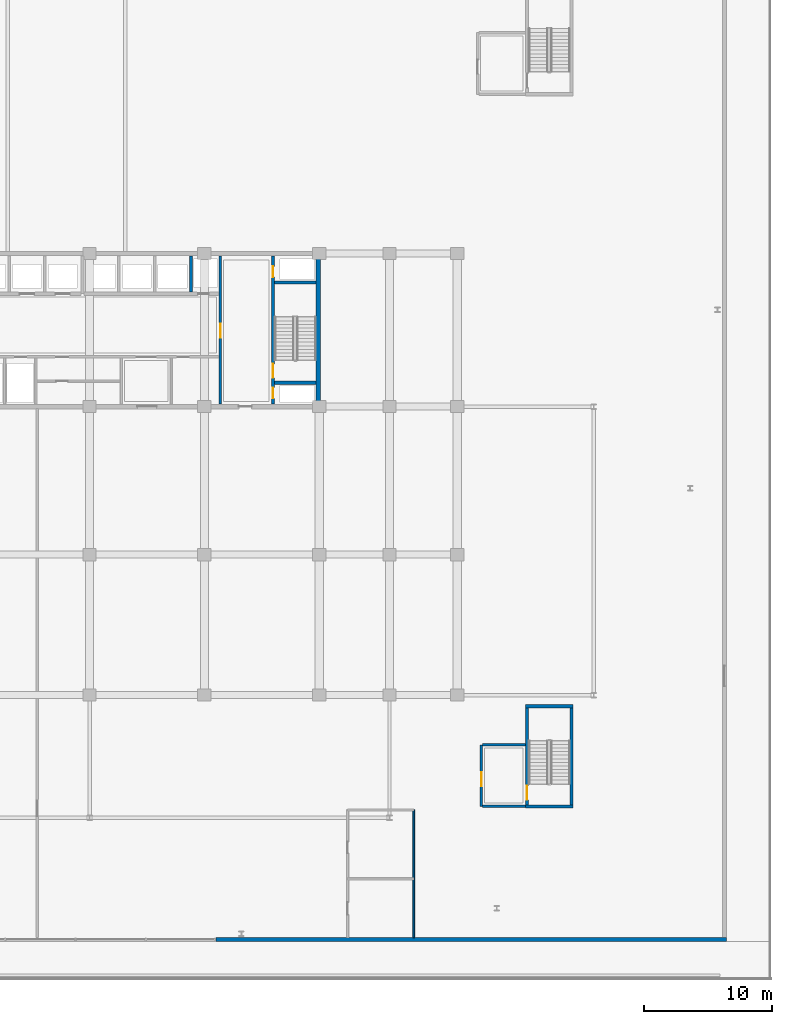
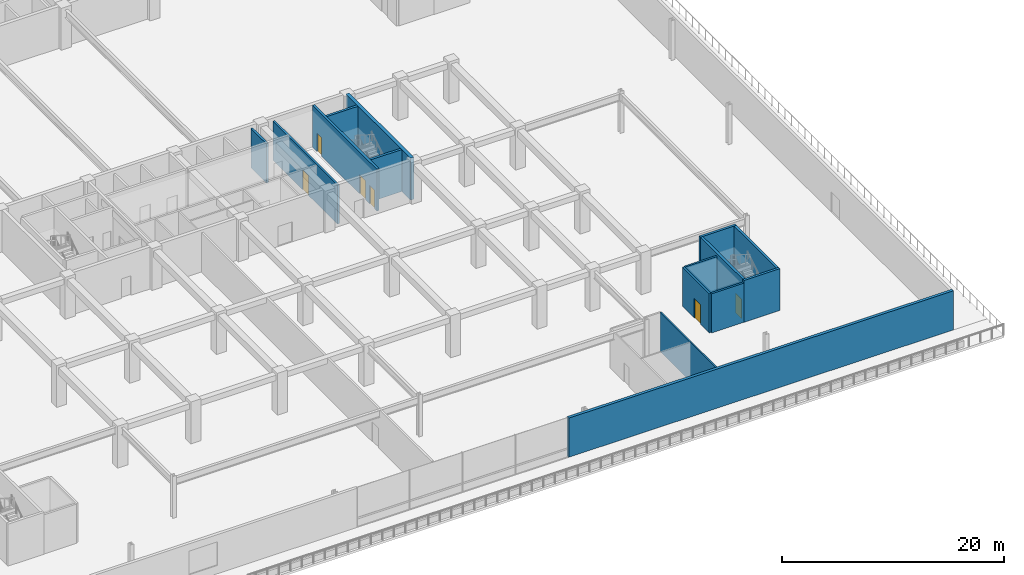
# One storey, part 22 of 45: 15 walls, 6 doors, 6 openings.
"""IFC4 building model written with IfcOpenShell, lengths in metres."""

from ifc_helpers import new_model, si_unit, direction, frame, frame_2d, origin, place, context, subcontext, project, spatial, rectangle, extrude, material, layer, layer_set, type_object, element, fill, save


model = new_model("IFC4")

# Units and contexts
model_context = context("Model", 3, precision=1e-05, world=origin(), true_north=direction((0.0, 1.0)))
body_context = subcontext(model_context, "Body", "Model", "MODEL_VIEW")
ifc_project = project(units=[si_unit("LENGTHUNIT", "METRE"), si_unit("AREAUNIT", "SQUARE_METRE"), si_unit("VOLUMEUNIT", "CUBIC_METRE"), si_unit("PLANEANGLEUNIT", "RADIAN"), si_unit("MASSUNIT", "GRAM", prefix="KILO")], contexts=[model_context])

# Site, building, storey
site_placement = place(None, origin())
site = spatial("IfcSite", under=ifc_project, at=site_placement, CompositionType="ELEMENT")
building_placement = place(site_placement, origin())
building = spatial("IfcBuilding", under=site, at=building_placement, Name="Korimba Cascade Residences", CompositionType="ELEMENT")
storey_placement = place(building_placement, frame((0.0, 0.0, 5.39990234375)))
storey = spatial("IfcBuildingStorey", under=building, at=storey_placement, Name="L01", CompositionType="ELEMENT", Elevation=5.39990234375)

# Walls
ifc_material_1 = material(Name="Precast concrete C40/50", Category="concrete")
ifc_layer_1 = layer(ifc_material_1, 0.300048828125)
ifc_layer_set_1 = layer_set([ifc_layer_1], Name="Precast concrete C40/50")
wall_type_1 = type_object("IfcWallType", Name="EW-STONE-300", PredefinedType="STANDARD", material=ifc_layer_set_1)
wall_1_placement = place(storey_placement, frame((110.0, -23.35009765625, 0.0), z_axis=(0.0, 0.0, 1.0), x_axis=(1.0, 0.0, 0.0)))
element("IfcWall", 1, at=wall_1_placement, inside=storey, type_object=wall_type_1, Name="L01 South-East Podium Wall", PredefinedType="STANDARD", context=body_context, shape_type="SweptSolid", body=[
    extrude(rectangle(XDim=40.0, YDim=0.300048828125, at=frame_2d((20.0, 0.0))), origin(), (0.0, 0.0, 1.0), 4.300048828125),
])
ifc_material_2 = material(Name="Concrete C65/80", Category="concrete")
ifc_layer_2 = layer(ifc_material_2, 0.35009765625)
ifc_layer_set_2 = layer_set([ifc_layer_2], Name="Concrete C65/80")
wall_type_2 = type_object("IfcWallType", Name="WAL-CORE-350", PredefinedType="SHEAR", material=ifc_layer_set_2)
wall_2_placement = place(storey_placement, frame((118.014892578125, 18.574951171875, 0.0), z_axis=(0.0, 0.0, 1.0), x_axis=(0.0, 1.0, 0.0)))
element("IfcWall", 2, at=wall_2_placement, inside=storey, type_object=wall_type_2, Name="L01 Core Shear Wall CW-L01-T2-E", PredefinedType="SHEAR", context=body_context, shape_type="SweptSolid", body=[
    extrude(rectangle(XDim=11.650146484375, YDim=0.35009765625, at=frame_2d((5.8251953125, 0.0))), origin(), (0.0, 0.0, 1.0), 4.60009765625),
])
ifc_material_3 = material(Name="Insulated Acoustic Stud Partition", Category="gypsum")
ifc_layer_3 = layer(ifc_material_3, 0.14990234375)
ifc_layer_set_3 = layer_set([ifc_layer_3], Name="Insulated Acoustic Stud Partition")
wall_type_3 = type_object("IfcWallType", Name="WAL-PART-150", PredefinedType="PARTITIONING", material=ifc_layer_set_3)
wall_3_placement = place(storey_placement, frame((125.5, -23.199951171875, 0.0), z_axis=(0.0, 0.0, 1.0), x_axis=(0.0, 1.0, 0.0)))
element("IfcWall", 3, at=wall_3_placement, inside=storey, type_object=wall_type_3, Name="L01 Partition Wall WAL-L01-WCE", PredefinedType="PARTITIONING", context=body_context, shape_type="SweptSolid", body=[
    extrude(rectangle(XDim=10.0, YDim=0.14990234375, at=frame_2d((5.0, 0.0))), origin(), (0.0, 0.0, 1.0), 4.300048828125),
])
ifc_material_4 = material(Name="Concrete C40/50", Category="concrete")
ifc_layer_4 = layer(ifc_material_4, 0.199951171875)
ifc_layer_set_4 = layer_set([ifc_layer_4], Name="Concrete C40/50")
wall_type_4 = type_object("IfcWallType", Name="WAL-PART-200", PredefinedType="PARTITIONING", material=ifc_layer_set_4)
wall_4_placement = place(storey_placement, frame((108.050048828125, 27.3798828125, 0.0), z_axis=(0.0, 0.0, 1.0), x_axis=(0.0, 1.0, 0.0)))
element("IfcWall", 4, at=wall_4_placement, inside=storey, type_object=wall_type_4, Name="L01 Partition Wall CW-L01-T2-B2D3", PredefinedType="PARTITIONING", context=body_context, shape_type="SweptSolid", body=[
    extrude(rectangle(XDim=2.820068359375, YDim=0.199951171875, at=frame_2d((1.41015625, 0.0))), origin(), (0.0, 0.0, 1.0), 4.300048828125),
])

# Wall, opening, door
wall_5_placement = place(storey_placement, frame((110.35009765625, 18.60009765625, 0.0), z_axis=(0.0, 0.0, 1.0), x_axis=(0.0, 1.0, 0.0)))
wall_5 = element("IfcWall", 5, at=wall_5_placement, inside=storey, type_object=wall_type_4, Name="L01 Partition Wall CW-L01-T2-LLEV", PredefinedType="PARTITIONING", context=body_context, shape_type="SweptSolid", body=[
    extrude(rectangle(XDim=11.599853515625, YDim=0.199951171875, at=frame_2d((5.7998046875, 0.0))), origin(), (0.0, 0.0, 1.0), 4.300048828125),
])
opening_1_placement = place(wall_5_placement, frame((5.199951171875, 0.0, 0.0)))
opening_1 = element("IfcOpeningElement", 6, at=opening_1_placement, cuts=wall_5, Name="Opening D-FD6", PredefinedType="OPENING", context=body_context, shape_type="SweptSolid", body=[
    extrude(rectangle(XDim=1.10009765625, YDim=2.14990234375, at=frame_2d((0.550048828125, 1.074951171875))), frame((0.0, 0.10986328125, 0.0), z_axis=(0.0, -1.0, 0.0), x_axis=(1.0, 0.0, 0.0)), (0.0, 0.0, 1.0), 0.219970703125),
])
ifc_material_5 = material(Name="Fire-Rated Timber Stair Lobby Door", Category="wood")
door_type_1 = type_object("IfcDoorType", Name="DR-FD90-1100", OperationType="NOTDEFINED", PredefinedType="DOOR", material=ifc_material_5)
door_1_placement = place(opening_1_placement, origin())
door_1 = element("IfcDoor", 7, at=door_1_placement, inside=storey, type_object=door_type_1, Name="L01 T2 Lift Lobby to East Stair Lobby Door", OperationType="SINGLE_SWING_RIGHT", OverallHeight=2.14990234375, OverallWidth=1.10009765625, PredefinedType="DOOR", context=body_context, shape_type="SweptSolid", body=[
    extrude(rectangle(XDim=1.10009765625, YDim=2.14990234375, at=frame_2d((0.550048828125, 1.074951171875))), frame((0.0, 0.02490234375, 0.0), z_axis=(0.0, -1.0, 0.0), x_axis=(1.0, 0.0, 0.0)), (0.0, 0.0, 1.0), 0.050048828125),
])
fill(opening_1, door_1)

wall_6_placement = place(storey_placement, frame((130.800048828125, -12.925048828125, 0.0), z_axis=(0.0, 0.0, 1.0), x_axis=(0.0, 1.0, 0.0)))
wall_6 = element("IfcWall", 8, at=wall_6_placement, inside=storey, type_object=wall_type_4, Name="L01 Partition Wall CW-L01-PL6W", PredefinedType="PARTITIONING", context=body_context, shape_type="SweptSolid", body=[
    extrude(rectangle(XDim=4.824951171875, YDim=0.199951171875, at=frame_2d((2.41259765625, 0.0))), origin(), (0.0, 0.0, 1.0), 4.300048828125),
])
opening_2_placement = place(wall_6_placement, frame((1.60009765625, 0.0, 0.0)))
opening_2 = element("IfcOpeningElement", 9, at=opening_2_placement, cuts=wall_6, Name="Opening D-FD6", PredefinedType="OPENING", context=body_context, shape_type="SweptSolid", body=[
    extrude(rectangle(XDim=1.10009765625, YDim=2.14990234375, at=frame_2d((0.550048828125, 1.074951171875))), frame((0.0, 0.10986328125, 0.0), z_axis=(0.0, -1.0, 0.0), x_axis=(1.0, 0.0, 0.0)), (0.0, 0.0, 1.0), 0.219970703125),
])
door_2_placement = place(opening_2_placement, origin())
door_2 = element("IfcDoor", 10, at=door_2_placement, inside=storey, type_object=door_type_1, Name="L01 South-East Stair Vestibule Door", OperationType="SINGLE_SWING_LEFT", OverallHeight=2.14990234375, OverallWidth=1.10009765625, PredefinedType="DOOR", context=body_context, shape_type="SweptSolid", body=[
    extrude(rectangle(XDim=1.10009765625, YDim=2.14990234375, at=frame_2d((0.550048828125, 1.074951171875))), frame((0.0, 0.02490234375, 0.0), z_axis=(0.0, -1.0, 0.0), x_axis=(1.0, 0.0, 0.0)), (0.0, 0.0, 1.0), 0.050048828125),
])
fill(opening_2, door_2)

# Walls
for number, where, z_axis, x_axis, name in (
    (11, (130.89990234375, -12.925048828125, 0.0), (0.0, 0.0, 1.0), (1.0, 0.0, 0.0), "L01 Partition Wall CW-L01-PL6S"),
    (12, (130.89990234375, -8.10009765625, 0.0), (0.0, 0.0, 1.0), (1.0, 0.0, 0.0), "L01 Partition Wall CW-L01-PL6N"),
):
    element("IfcWall", number, at=place(storey_placement, frame(where, z_axis=z_axis, x_axis=x_axis)), inside=storey, type_object=wall_type_4, Name=name, PredefinedType="PARTITIONING", context=body_context, shape_type="SweptSolid", body=[
        extrude(rectangle(XDim=3.35009765625, YDim=0.199951171875, at=frame_2d((1.675048828125, 0.0))), origin(), (0.0, 0.0, 1.0), 4.300048828125),
    ])

# Wall, openings, doors
ifc_material_6 = material(Name="Concrete C50/60", Category="concrete")
ifc_layer_5 = layer(ifc_material_6, 0.25)
ifc_layer_set_5 = layer_set([ifc_layer_5], Name="Concrete C50/60")
wall_type_5 = type_object("IfcWallType", Name="WAL-SHAFT-250", PredefinedType="SHEAR", material=ifc_layer_set_5)
wall_7_placement = place(storey_placement, frame((114.47509765625, 18.60009765625, 0.0), z_axis=(0.0, 0.0, 1.0), x_axis=(0.0, 1.0, 0.0)))
wall_7 = element("IfcWall", 13, at=wall_7_placement, inside=storey, type_object=wall_type_5, Name="L01 Core Shear Wall CW-L01-T2-STE2W", PredefinedType="SHEAR", context=body_context, shape_type="SweptSolid", body=[
    extrude(rectangle(XDim=11.599853515625, YDim=0.25, at=frame_2d((5.7998046875, 0.0))), origin(), (0.0, 0.0, 1.0), 4.60009765625),
])
opening_3_placement = place(wall_7_placement, frame((0.449951171875, 0.0, 0.0)))
opening_3 = element("IfcOpeningElement", 14, at=opening_3_placement, cuts=wall_7, Name="Opening D-RS1", PredefinedType="OPENING", context=body_context, shape_type="SweptSolid", body=[
    extrude(rectangle(XDim=0.85009765625, YDim=2.050048828125, at=frame_2d((0.425048828125, 1.02490234375))), frame((0.0, 0.135009765625, 0.0), z_axis=(0.0, -1.0, 0.0), x_axis=(1.0, 0.0, 0.0)), (0.0, 0.0, 1.0), 0.27001953125),
])
opening_4_placement = place(wall_7_placement, frame((2.050048828125, 0.0, 0.0)))
opening_4 = element("IfcOpeningElement", 15, at=opening_4_placement, cuts=wall_7, Name="Opening D-FD1", PredefinedType="OPENING", context=body_context, shape_type="SweptSolid", body=[
    extrude(rectangle(XDim=1.10009765625, YDim=2.10009765625, at=frame_2d((0.550048828125, 1.050048828125))), frame((0.0, 0.135009765625, 0.0), z_axis=(0.0, -1.0, 0.0), x_axis=(1.0, 0.0, 0.0)), (0.0, 0.0, 1.0), 0.27001953125),
])
opening_5_placement = place(wall_7_placement, frame((9.949951171875, 0.0, 0.0)))
opening_5 = element("IfcOpeningElement", 16, at=opening_5_placement, cuts=wall_7, Name="Opening D-RS1", PredefinedType="OPENING", context=body_context, shape_type="SweptSolid", body=[
    extrude(rectangle(XDim=0.85009765625, YDim=2.050048828125, at=frame_2d((0.425048828125, 1.02490234375))), frame((0.0, 0.135009765625, 0.0), z_axis=(0.0, -1.0, 0.0), x_axis=(1.0, 0.0, 0.0)), (0.0, 0.0, 1.0), 0.27001953125),
])
ifc_material_7 = material(Name="Fire-Rated Steel Core Door", Category="steel")
door_type_2 = type_object("IfcDoorType", Name="DR-FD120-1100", OperationType="NOTDEFINED", PredefinedType="DOOR", material=ifc_material_7)
door_3_placement = place(opening_4_placement, origin())
door_3 = element("IfcDoor", 17, at=door_3_placement, inside=storey, type_object=door_type_2, Name="L01 Fire Stair ST-E2 Door", OperationType="SINGLE_SWING_RIGHT", OverallHeight=2.10009765625, OverallWidth=1.10009765625, PredefinedType="DOOR", context=body_context, shape_type="SweptSolid", body=[
    extrude(rectangle(XDim=1.10009765625, YDim=2.10009765625, at=frame_2d((0.550048828125, 1.050048828125))), frame((0.0, 0.02490234375, 0.0), z_axis=(0.0, -1.0, 0.0), x_axis=(1.0, 0.0, 0.0)), (0.0, 0.0, 1.0), 0.050048828125),
])
fill(opening_4, door_3)
ifc_material_8 = material(Name="Fire-Rated Steel Riser Access Door", Category="steel")
door_type_3 = type_object("IfcDoorType", Name="DR-FD60-850", OperationType="NOTDEFINED", PredefinedType="DOOR", material=ifc_material_8)
door_4_placement = place(opening_3_placement, origin())
door_4 = element("IfcDoor", 18, at=door_4_placement, inside=storey, type_object=door_type_3, Name="L01 T2 East Hydrant Door", OperationType="SINGLE_SWING_LEFT", OverallHeight=2.050048828125, OverallWidth=0.85009765625, PredefinedType="DOOR", context=body_context, shape_type="SweptSolid", body=[
    extrude(rectangle(XDim=0.85009765625, YDim=2.050048828125, at=frame_2d((0.425048828125, 1.02490234375))), frame((0.0, 0.02490234375, 0.0), z_axis=(0.0, -1.0, 0.0), x_axis=(1.0, 0.0, 0.0)), (0.0, 0.0, 1.0), 0.050048828125),
])
fill(opening_3, door_4)
door_5_placement = place(opening_5_placement, origin())
door_5 = element("IfcDoor", 19, at=door_5_placement, inside=storey, type_object=door_type_3, Name="L01 T2 East Riser Door", OperationType="SINGLE_SWING_LEFT", OverallHeight=2.050048828125, OverallWidth=0.85009765625, PredefinedType="DOOR", context=body_context, shape_type="SweptSolid", body=[
    extrude(rectangle(XDim=0.85009765625, YDim=2.050048828125, at=frame_2d((0.425048828125, 1.02490234375))), frame((0.0, 0.02490234375, 0.0), z_axis=(0.0, -1.0, 0.0), x_axis=(1.0, 0.0, 0.0)), (0.0, 0.0, 1.0), 0.050048828125),
])
fill(opening_5, door_5)

# Walls
for number, where, z_axis, x_axis, name in (
    (20, (114.60009765625, 20.27490234375, 0.0), (0.0, 0.0, 1.0), (1.0, 0.0, 0.0), "L01 Core Shear Wall CW-L01-T2-STE2S"),
    (21, (114.60009765625, 28.125, 0.0), (0.0, 0.0, 1.0), (1.0, 0.0, 0.0), "L01 Core Shear Wall CW-L01-T2-STE2N"),
):
    element("IfcWall", number, at=place(storey_placement, frame(where, z_axis=z_axis, x_axis=x_axis)), inside=storey, type_object=wall_type_5, Name=name, PredefinedType="SHEAR", context=body_context, shape_type="SweptSolid", body=[
        extrude(rectangle(XDim=3.239990234375, YDim=0.25, at=frame_2d((1.6201171875, 0.0))), origin(), (0.0, 0.0, 1.0), 4.60009765625),
    ])

# Wall, opening, door
wall_8_placement = place(storey_placement, frame((134.375, -12.800048828125, 0.0), z_axis=(0.0, 0.0, 1.0), x_axis=(0.0, 1.0, 0.0)))
wall_8 = element("IfcWall", 22, at=wall_8_placement, inside=storey, type_object=wall_type_5, Name="L01 Core Shear Wall CW-L01-STP6W", PredefinedType="SHEAR", context=body_context, shape_type="SweptSolid", body=[
    extrude(rectangle(XDim=7.60009765625, YDim=0.25, at=frame_2d((3.800048828125, 0.0))), origin(), (0.0, 0.0, 1.0), 4.60009765625),
])
opening_6_placement = place(wall_8_placement, frame((0.39990234375, 0.0, 0.0)))
opening_6 = element("IfcOpeningElement", 23, at=opening_6_placement, cuts=wall_8, Name="Opening D-FD1", PredefinedType="OPENING", context=body_context, shape_type="SweptSolid", body=[
    extrude(rectangle(XDim=1.10009765625, YDim=2.10009765625, at=frame_2d((0.550048828125, 1.050048828125))), frame((0.0, 0.135009765625, 0.0), z_axis=(0.0, -1.0, 0.0), x_axis=(1.0, 0.0, 0.0)), (0.0, 0.0, 1.0), 0.27001953125),
])
door_6_placement = place(opening_6_placement, origin())
door_6 = element("IfcDoor", 24, at=door_6_placement, inside=storey, type_object=door_type_2, Name="L01 Podium Stair ST-P6 Door", OperationType="SINGLE_SWING_RIGHT", OverallHeight=2.10009765625, OverallWidth=1.10009765625, PredefinedType="DOOR", context=body_context, shape_type="SweptSolid", body=[
    extrude(rectangle(XDim=1.10009765625, YDim=2.10009765625, at=frame_2d((0.550048828125, 1.050048828125))), frame((0.0, 0.02490234375, 0.0), z_axis=(0.0, -1.0, 0.0), x_axis=(1.0, 0.0, 0.0)), (0.0, 0.0, 1.0), 0.050048828125),
])
fill(opening_6, door_6)

# Walls
wall_9_placement = place(storey_placement, frame((137.864990234375, -12.800048828125, 0.0), z_axis=(0.0, 0.0, 1.0), x_axis=(0.0, 1.0, 0.0)))
element("IfcWall", 25, at=wall_9_placement, inside=storey, type_object=wall_type_5, Name="L01 Core Shear Wall CW-L01-STP6E", PredefinedType="SHEAR", context=body_context, shape_type="SweptSolid", body=[
    extrude(rectangle(XDim=7.60009765625, YDim=0.25, at=frame_2d((3.800048828125, 0.0))), origin(), (0.0, 0.0, 1.0), 4.60009765625),
])
for number, where, z_axis, x_axis, name in (
    (26, (134.25, -12.925048828125, 0.0), (0.0, 0.0, 1.0), (1.0, 0.0, 0.0), "L01 Core Shear Wall CW-L01-STP6S"),
    (27, (134.25, -5.074951171875, 0.0), (0.0, 0.0, 1.0), (1.0, 0.0, 0.0), "L01 Core Shear Wall CW-L01-STP6N"),
):
    element("IfcWall", number, at=place(storey_placement, frame(where, z_axis=z_axis, x_axis=x_axis)), inside=storey, type_object=wall_type_5, Name=name, PredefinedType="SHEAR", context=body_context, shape_type="SweptSolid", body=[
        extrude(rectangle(XDim=3.739990234375, YDim=0.25, at=frame_2d((1.8701171875, 0.0))), origin(), (0.0, 0.0, 1.0), 4.60009765625),
    ])

save(model, "model.ifc")
